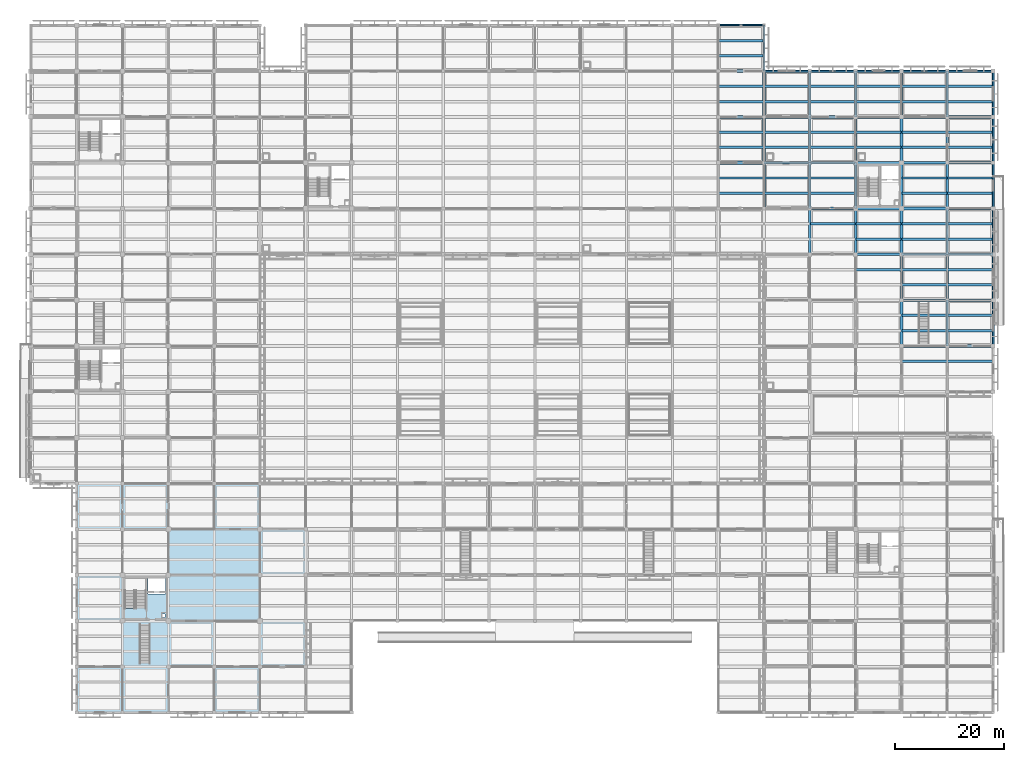
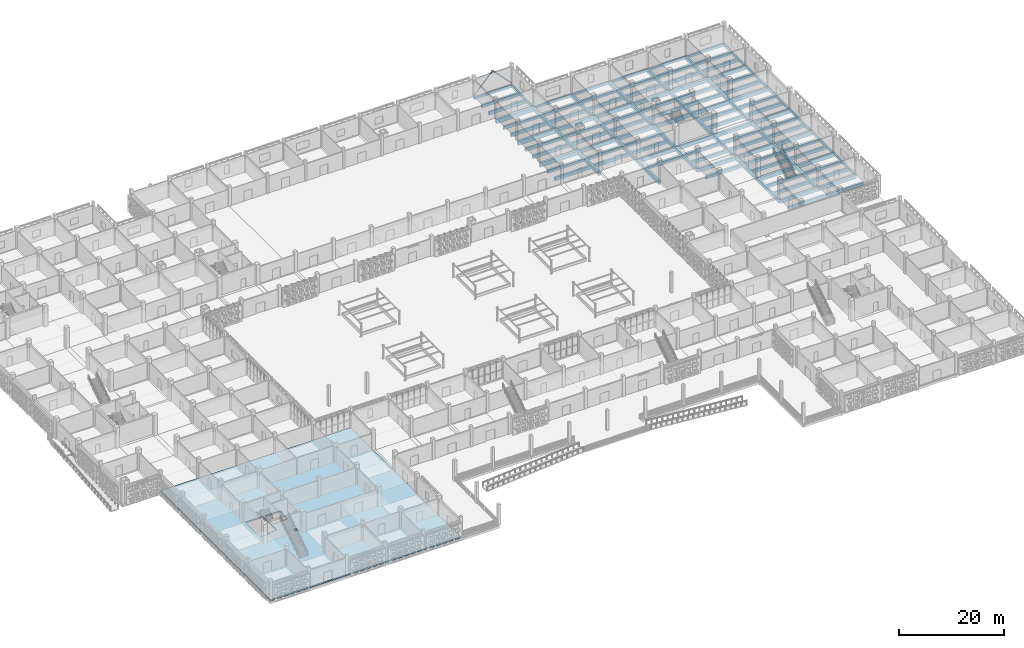
# One storey, part 44 of 129: 114 beams, 2 members, 1 slab.
"""IFC4 building model written with IfcOpenShell, lengths in metres."""

from ifc_helpers import new_model, si_unit, direction, frame, origin, origin_2d, place, context, subcontext, project, spatial, polyline, rectangle, hollow_circle, outline, extrude, material, layer, layer_set, material_profile, profile_set, type_object, element, save


model = new_model("IFC4")

# Units and contexts
model_context = context("Model", 3, precision=1e-05, world=origin(), true_north=direction((0.0, 1.0)))
body_context = subcontext(model_context, "Body", "Model", "MODEL_VIEW")
ifc_project = project(units=[si_unit("LENGTHUNIT", "METRE"), si_unit("AREAUNIT", "SQUARE_METRE"), si_unit("VOLUMEUNIT", "CUBIC_METRE"), si_unit("PLANEANGLEUNIT", "RADIAN"), si_unit("MASSUNIT", "GRAM", prefix="KILO")], contexts=[model_context])

# Site, building, storey
site_placement = place(None, origin())
site = spatial("IfcSite", under=ifc_project, at=site_placement, CompositionType="ELEMENT")
building_placement = place(site_placement, origin())
building = spatial("IfcBuilding", under=site, at=building_placement, Name="Varnapada Polytechnic", CompositionType="ELEMENT")
storey_placement = place(building_placement, origin())
storey = spatial("IfcBuildingStorey", under=building, at=storey_placement, Name="L00", CompositionType="ELEMENT", Elevation=0.0)

# Beams
ifc_material_1 = material(Name="Concrete C40/50", Category="concrete")
ifc_material_profile_1 = material_profile(ifc_material_1, rectangle(XDim=0.449951171875, YDim=0.75, at=origin_2d()), Name="RC 450x750")
ifc_profile_set_1 = profile_set([ifc_material_profile_1], Name="Concrete C40/50")
beam_type_1 = type_object("IfcBeamType", Name="Basement/podium secondary beam BB-01 (RC 450x750)", PredefinedType="BEAM", material=ifc_profile_set_1)
for number, where, z_axis, x_axis, name in (
    (1, (126.080078125, 95.199951171875, -0.695068359375), (1.0, 0.0, 0.0), (0.0, 1.0, 0.0), "L00 floor joist 16/12.1"),
    (2, (126.080078125, 98.0, -0.695068359375), (1.0, 0.0, 0.0), (0.0, 1.0, 0.0), "L00 floor joist 16/12.2"),
    (3, (126.080078125, 103.60009765625, -0.695068359375), (1.0, 0.0, 0.0), (0.0, 1.0, 0.0), "L00 floor joist 16/13.1"),
    (4, (126.080078125, 106.39990234375, -0.695068359375), (1.0, 0.0, 0.0), (0.0, 1.0, 0.0), "L00 floor joist 16/13.2"),
    (5, (126.080078125, 112.0, -0.695068359375), (1.0, 0.0, 0.0), (0.0, 1.0, 0.0), "L00 floor joist 16/14.1"),
    (6, (126.080078125, 114.800048828125, -0.695068359375), (1.0, 0.0, 0.0), (0.0, 1.0, 0.0), "L00 floor joist 16/14.2"),
    (7, (126.080078125, 120.39990234375, -0.695068359375), (1.0, 0.0, 0.0), (0.0, 1.0, 0.0), "L00 floor joist 16/15.1"),
    (8, (126.080078125, 123.199951171875, -0.695068359375), (1.0, 0.0, 0.0), (0.0, 1.0, 0.0), "L00 floor joist 16/15.2"),
    (9, (134.47998046875, 95.199951171875, -0.695068359375), (1.0, 0.0, 0.0), (0.0, 1.0, 0.0), "L00 floor joist 17/12.1"),
    (10, (134.47998046875, 98.0, -0.695068359375), (1.0, 0.0, 0.0), (0.0, 1.0, 0.0), "L00 floor joist 17/12.2"),
    (11, (134.47998046875, 103.60009765625, -0.695068359375), (1.0, 0.0, 0.0), (0.0, 1.0, 0.0), "L00 floor joist 17/13.1"),
    (12, (134.47998046875, 106.39990234375, -0.695068359375), (1.0, 0.0, 0.0), (0.0, 1.0, 0.0), "L00 floor joist 17/13.2"),
    (13, (134.47998046875, 112.0, -0.695068359375), (1.0, 0.0, 0.0), (0.0, 1.0, 0.0), "L00 floor joist 17/14.1"),
    (14, (134.47998046875, 114.800048828125, -0.695068359375), (1.0, 0.0, 0.0), (0.0, 1.0, 0.0), "L00 floor joist 17/14.2"),
):
    element("IfcBeam", number, at=place(storey_placement, frame(where, z_axis=z_axis, x_axis=x_axis)), inside=storey, type_object=beam_type_1, Name=name, PredefinedType="BEAM", context=body_context, shape_type="SweptSolid", body=[
        extrude(rectangle(XDim=0.449951171875, YDim=0.75, at=origin_2d()), origin(), (0.0, 0.0, 1.0), 8.239990234375),
    ])
for number, where, z_axis, x_axis, name in (
    (15, (142.8798828125, 89.60009765625, -0.675048828125), (1.0, 0.0, 0.0), (0.0, 1.0, 0.0), "L00 floor joist 18/11.2"),
    (16, (142.8798828125, 95.199951171875, -0.675048828125), (1.0, 0.0, 0.0), (0.0, 1.0, 0.0), "L00 floor joist 18/12.1"),
    (17, (142.8798828125, 98.0, -0.675048828125), (1.0, 0.0, 0.0), (0.0, 1.0, 0.0), "L00 floor joist 18/12.2"),
    (18, (142.8798828125, 103.60009765625, -0.675048828125), (1.0, 0.0, 0.0), (0.0, 1.0, 0.0), "L00 floor joist 18/13.1"),
    (19, (142.8798828125, 106.39990234375, -0.675048828125), (1.0, 0.0, 0.0), (0.0, 1.0, 0.0), "L00 floor joist 18/13.2"),
    (20, (142.8798828125, 112.0, -0.675048828125), (1.0, 0.0, 0.0), (0.0, 1.0, 0.0), "L00 floor joist 18/14.1"),
    (21, (142.8798828125, 114.800048828125, -0.675048828125), (1.0, 0.0, 0.0), (0.0, 1.0, 0.0), "L00 floor joist 18/14.2"),
):
    element("IfcBeam", number, at=place(storey_placement, frame(where, z_axis=z_axis, x_axis=x_axis)), inside=storey, type_object=beam_type_1, Name=name, PredefinedType="BEAM", context=body_context, shape_type="SweptSolid", body=[
        extrude(rectangle(XDim=0.449951171875, YDim=0.75, at=origin_2d()), origin(), (0.0, 0.0, 1.0), 8.240234375),
    ])
for number, where, z_axis, x_axis, name in (
    (22, (151.280029296875, 81.199951171875, -0.675048828125), (1.0, 0.0, 0.0), (0.0, 1.0, 0.0), "L00 floor joist 19/10.2"),
    (23, (151.280029296875, 86.800048828125, -0.675048828125), (1.0, 0.0, 0.0), (0.0, 1.0, 0.0), "L00 floor joist 19/11.1"),
    (24, (151.280029296875, 89.60009765625, -0.675048828125), (1.0, 0.0, 0.0), (0.0, 1.0, 0.0), "L00 floor joist 19/11.2"),
    (25, (151.280029296875, 103.60009765625, -0.675048828125), (1.0, 0.0, 0.0), (0.0, 1.0, 0.0), "L00 floor joist 19/13.1"),
    (26, (151.280029296875, 106.39990234375, -0.675048828125), (1.0, 0.0, 0.0), (0.0, 1.0, 0.0), "L00 floor joist 19/13.2"),
    (27, (151.280029296875, 112.0, -0.675048828125), (1.0, 0.0, 0.0), (0.0, 1.0, 0.0), "L00 floor joist 19/14.1"),
    (28, (151.280029296875, 114.800048828125, -0.675048828125), (1.0, 0.0, 0.0), (0.0, 1.0, 0.0), "L00 floor joist 19/14.2"),
    (29, (159.679931640625, 64.39990234375, -0.675048828125), (1.0, 0.0, 0.0), (0.0, 1.0, 0.0), "L00 floor joist 20/8.2"),
    (30, (159.679931640625, 70.0, -0.675048828125), (1.0, 0.0, 0.0), (0.0, 1.0, 0.0), "L00 floor joist 20/9.1"),
    (31, (159.679931640625, 72.800048828125, -0.675048828125), (1.0, 0.0, 0.0), (0.0, 1.0, 0.0), "L00 floor joist 20/9.2"),
    (32, (159.679931640625, 78.39990234375, -0.675048828125), (1.0, 0.0, 0.0), (0.0, 1.0, 0.0), "L00 floor joist 20/10.1"),
    (33, (159.679931640625, 81.199951171875, -0.675048828125), (1.0, 0.0, 0.0), (0.0, 1.0, 0.0), "L00 floor joist 20/10.2"),
    (34, (159.679931640625, 86.800048828125, -0.675048828125), (1.0, 0.0, 0.0), (0.0, 1.0, 0.0), "L00 floor joist 20/11.1"),
    (35, (159.679931640625, 89.60009765625, -0.675048828125), (1.0, 0.0, 0.0), (0.0, 1.0, 0.0), "L00 floor joist 20/11.2"),
    (36, (159.679931640625, 95.199951171875, -0.675048828125), (1.0, 0.0, 0.0), (0.0, 1.0, 0.0), "L00 floor joist 20/12.1"),
    (37, (159.679931640625, 98.0, -0.675048828125), (1.0, 0.0, 0.0), (0.0, 1.0, 0.0), "L00 floor joist 20/12.2"),
    (38, (159.679931640625, 103.60009765625, -0.675048828125), (1.0, 0.0, 0.0), (0.0, 1.0, 0.0), "L00 floor joist 20/13.1"),
    (39, (159.679931640625, 106.39990234375, -0.675048828125), (1.0, 0.0, 0.0), (0.0, 1.0, 0.0), "L00 floor joist 20/13.2"),
    (40, (159.679931640625, 112.0, -0.675048828125), (1.0, 0.0, 0.0), (0.0, 1.0, 0.0), "L00 floor joist 20/14.1"),
    (41, (159.679931640625, 114.800048828125, -0.675048828125), (1.0, 0.0, 0.0), (0.0, 1.0, 0.0), "L00 floor joist 20/14.2"),
    (42, (168.080078125, 64.39990234375, -0.675048828125), (1.0, 0.0, 0.0), (0.0, 1.0, 0.0), "L00 floor joist 21/8.2"),
    (43, (168.080078125, 70.0, -0.675048828125), (1.0, 0.0, 0.0), (0.0, 1.0, 0.0), "L00 floor joist 21/9.1"),
    (44, (168.080078125, 72.800048828125, -0.675048828125), (1.0, 0.0, 0.0), (0.0, 1.0, 0.0), "L00 floor joist 21/9.2"),
    (45, (168.080078125, 78.39990234375, -0.675048828125), (1.0, 0.0, 0.0), (0.0, 1.0, 0.0), "L00 floor joist 21/10.1"),
    (46, (168.080078125, 81.199951171875, -0.675048828125), (1.0, 0.0, 0.0), (0.0, 1.0, 0.0), "L00 floor joist 21/10.2"),
    (47, (168.080078125, 86.800048828125, -0.675048828125), (1.0, 0.0, 0.0), (0.0, 1.0, 0.0), "L00 floor joist 21/11.1"),
    (48, (168.080078125, 89.60009765625, -0.675048828125), (1.0, 0.0, 0.0), (0.0, 1.0, 0.0), "L00 floor joist 21/11.2"),
    (49, (168.080078125, 95.199951171875, -0.675048828125), (1.0, 0.0, 0.0), (0.0, 1.0, 0.0), "L00 floor joist 21/12.1"),
    (50, (168.080078125, 98.0, -0.675048828125), (1.0, 0.0, 0.0), (0.0, 1.0, 0.0), "L00 floor joist 21/12.2"),
    (51, (168.080078125, 103.60009765625, -0.675048828125), (1.0, 0.0, 0.0), (0.0, 1.0, 0.0), "L00 floor joist 21/13.1"),
    (52, (168.080078125, 106.39990234375, -0.675048828125), (1.0, 0.0, 0.0), (0.0, 1.0, 0.0), "L00 floor joist 21/13.2"),
    (53, (168.080078125, 112.0, -0.675048828125), (1.0, 0.0, 0.0), (0.0, 1.0, 0.0), "L00 floor joist 21/14.1"),
    (54, (168.080078125, 114.800048828125, -0.675048828125), (1.0, 0.0, 0.0), (0.0, 1.0, 0.0), "L00 floor joist 21/14.2"),
):
    element("IfcBeam", number, at=place(storey_placement, frame(where, z_axis=z_axis, x_axis=x_axis)), inside=storey, type_object=beam_type_1, Name=name, PredefinedType="BEAM", context=body_context, shape_type="SweptSolid", body=[
        extrude(rectangle(XDim=0.449951171875, YDim=0.75, at=origin_2d()), origin(), (0.0, 0.0, 1.0), 8.239990234375),
    ])
ifc_material_profile_2 = material_profile(ifc_material_1, rectangle(XDim=0.35009765625, YDim=0.550048828125, at=origin_2d()), Name="RC 350x550")
ifc_profile_set_2 = profile_set([ifc_material_profile_2], Name="Concrete C40/50")
beam_type_2 = type_object("IfcBeamType", Name="Concrete podium spandrel beam SP-01 (RC 350x550)", PredefinedType="SPANDREL", material=ifc_profile_set_2)
beam_1_placement = place(storey_placement, frame((126.0, 126.0, -0.594970703125), z_axis=(1.0, 0.0, 0.0), x_axis=(0.0, 1.0, 0.0)))
element("IfcBeam", 55, at=beam_1_placement, inside=storey, type_object=beam_type_2, Name="L00 beam X 16-17 at Y16", PredefinedType="SPANDREL", context=body_context, shape_type="SweptSolid", body=[
    extrude(rectangle(XDim=0.35009765625, YDim=0.550048828125, at=origin_2d()), origin(), (0.0, 0.0, 1.0), 8.39990234375),
])
beam_2_placement = place(storey_placement, frame((134.39990234375, 117.60009765625, -0.594970703125), z_axis=(1.0, 0.0, 0.0), x_axis=(0.0, 1.0, 0.0)))
element("IfcBeam", 56, at=beam_2_placement, inside=storey, type_object=beam_type_2, Name="L00 beam X 17-18 at Y15", PredefinedType="SPANDREL", context=body_context, shape_type="SweptSolid", body=[
    extrude(rectangle(XDim=0.35009765625, YDim=0.550048828125, at=origin_2d()), origin(), (0.0, 0.0, 1.0), 8.400146484375),
])
beam_3_placement = place(storey_placement, frame((142.800048828125, 117.60009765625, -0.574951171875), z_axis=(1.0, 0.0, 0.0), x_axis=(0.0, 1.0, 0.0)))
element("IfcBeam", 57, at=beam_3_placement, inside=storey, type_object=beam_type_2, Name="L00 beam X 18-19 at Y15", PredefinedType="SPANDREL", context=body_context, shape_type="SweptSolid", body=[
    extrude(rectangle(XDim=0.35009765625, YDim=0.550048828125, at=origin_2d()), origin(), (0.0, 0.0, 1.0), 8.39990234375),
])
beam_4_placement = place(storey_placement, frame((151.199951171875, 117.60009765625, -0.574951171875), z_axis=(1.0, 0.0, 0.0), x_axis=(0.0, 1.0, 0.0)))
element("IfcBeam", 58, at=beam_4_placement, inside=storey, type_object=beam_type_2, Name="L00 beam X 19-20 at Y15", PredefinedType="SPANDREL", context=body_context, shape_type="SweptSolid", body=[
    extrude(rectangle(XDim=0.35009765625, YDim=0.550048828125, at=origin_2d()), origin(), (0.0, 0.0, 1.0), 8.400146484375),
])
for number, where, z_axis, x_axis, name in (
    (59, (159.60009765625, 117.60009765625, -0.574951171875), (1.0, 0.0, 0.0), (0.0, 1.0, 0.0), "L00 beam X 20-21 at Y15"),
    (60, (168.0, 117.60009765625, -0.574951171875), (1.0, 0.0, 0.0), (0.0, 1.0, 0.0), "L00 beam X 21-22 at Y15"),
    (61, (134.39990234375, 117.60009765625, -0.594970703125), (0.0, 1.0, 0.0), (-1.0, 0.0, 0.0), "L00 beam Y 15-16 at X17"),
):
    element("IfcBeam", number, at=place(storey_placement, frame(where, z_axis=z_axis, x_axis=x_axis)), inside=storey, type_object=beam_type_2, Name=name, PredefinedType="SPANDREL", context=body_context, shape_type="SweptSolid", body=[
        extrude(rectangle(XDim=0.35009765625, YDim=0.550048828125, at=origin_2d()), origin(), (0.0, 0.0, 1.0), 8.39990234375),
    ])
beam_5_placement = place(storey_placement, frame((176.39990234375, 67.199951171875, -0.574951171875), z_axis=(0.0, 1.0, 0.0), x_axis=(-1.0, 0.0, 0.0)))
element("IfcBeam", 62, at=beam_5_placement, inside=storey, type_object=beam_type_2, Name="L00 beam Y 9-10 at X22", PredefinedType="SPANDREL", context=body_context, shape_type="SweptSolid", body=[
    extrude(rectangle(XDim=0.35009765625, YDim=0.550048828125, at=origin_2d()), origin(), (0.0, 0.0, 1.0), 8.400146484375),
])
for number, where, z_axis, x_axis, name in (
    (63, (176.39990234375, 75.60009765625, -0.574951171875), (0.0, 1.0, 0.0), (-1.0, 0.0, 0.0), "L00 beam Y 10-11 at X22"),
    (64, (176.39990234375, 84.0, -0.574951171875), (0.0, 1.0, 0.0), (-1.0, 0.0, 0.0), "L00 beam Y 11-12 at X22"),
):
    element("IfcBeam", number, at=place(storey_placement, frame(where, z_axis=z_axis, x_axis=x_axis)), inside=storey, type_object=beam_type_2, Name=name, PredefinedType="SPANDREL", context=body_context, shape_type="SweptSolid", body=[
        extrude(rectangle(XDim=0.35009765625, YDim=0.550048828125, at=origin_2d()), origin(), (0.0, 0.0, 1.0), 8.39990234375),
    ])
beam_6_placement = place(storey_placement, frame((176.39990234375, 92.39990234375, -0.574951171875), z_axis=(0.0, 1.0, 0.0), x_axis=(-1.0, 0.0, 0.0)))
element("IfcBeam", 65, at=beam_6_placement, inside=storey, type_object=beam_type_2, Name="L00 beam Y 12-13 at X22", PredefinedType="SPANDREL", context=body_context, shape_type="SweptSolid", body=[
    extrude(rectangle(XDim=0.35009765625, YDim=0.550048828125, at=origin_2d()), origin(), (0.0, 0.0, 1.0), 8.400146484375),
])
beam_7_placement = place(storey_placement, frame((176.39990234375, 100.800048828125, -0.574951171875), z_axis=(0.0, 1.0, 0.0), x_axis=(-1.0, 0.0, 0.0)))
element("IfcBeam", 66, at=beam_7_placement, inside=storey, type_object=beam_type_2, Name="L00 beam Y 13-14 at X22", PredefinedType="SPANDREL", context=body_context, shape_type="SweptSolid", body=[
    extrude(rectangle(XDim=0.35009765625, YDim=0.550048828125, at=origin_2d()), origin(), (0.0, 0.0, 1.0), 8.39990234375),
])
beam_8_placement = place(storey_placement, frame((176.39990234375, 109.199951171875, -0.574951171875), z_axis=(0.0, 1.0, 0.0), x_axis=(-1.0, 0.0, 0.0)))
element("IfcBeam", 67, at=beam_8_placement, inside=storey, type_object=beam_type_2, Name="L00 beam Y 14-15 at X22", PredefinedType="SPANDREL", context=body_context, shape_type="SweptSolid", body=[
    extrude(rectangle(XDim=0.35009765625, YDim=0.550048828125, at=origin_2d()), origin(), (0.0, 0.0, 1.0), 8.400146484375),
])
ifc_material_profile_3 = material_profile(ifc_material_1, rectangle(XDim=0.5, YDim=0.800048828125, at=origin_2d()), Name="RC 500x800")
ifc_profile_set_3 = profile_set([ifc_material_profile_3], Name="Concrete C40/50")
beam_type_3 = type_object("IfcBeamType", Name="Refectory podium girder BB-03 (RC 500x800)", PredefinedType="BEAM", material=ifc_profile_set_3)
beam_9_placement = place(storey_placement, frame((134.39990234375, 92.39990234375, -0.719970703125), z_axis=(0.0, 1.0, 0.0), x_axis=(-1.0, 0.0, 0.0)))
element("IfcBeam", 68, at=beam_9_placement, inside=storey, type_object=beam_type_3, Name="L00 beam Y 12-13 at X17", PredefinedType="BEAM", context=body_context, shape_type="SweptSolid", body=[
    extrude(rectangle(XDim=0.5, YDim=0.800048828125, at=origin_2d()), origin(), (0.0, 0.0, 1.0), 8.400146484375),
])
beam_10_placement = place(storey_placement, frame((134.39990234375, 100.800048828125, -0.719970703125), z_axis=(0.0, 1.0, 0.0), x_axis=(-1.0, 0.0, 0.0)))
element("IfcBeam", 69, at=beam_10_placement, inside=storey, type_object=beam_type_3, Name="L00 beam Y 13-14 at X17", PredefinedType="BEAM", context=body_context, shape_type="SweptSolid", body=[
    extrude(rectangle(XDim=0.5, YDim=0.800048828125, at=origin_2d()), origin(), (0.0, 0.0, 1.0), 8.39990234375),
])
beam_11_placement = place(storey_placement, frame((134.39990234375, 109.199951171875, -0.719970703125), z_axis=(0.0, 1.0, 0.0), x_axis=(-1.0, 0.0, 0.0)))
element("IfcBeam", 70, at=beam_11_placement, inside=storey, type_object=beam_type_3, Name="L00 beam Y 14-15 at X17", PredefinedType="BEAM", context=body_context, shape_type="SweptSolid", body=[
    extrude(rectangle(XDim=0.5, YDim=0.800048828125, at=origin_2d()), origin(), (0.0, 0.0, 1.0), 8.400146484375),
])
beam_12_placement = place(storey_placement, frame((142.800048828125, 84.0, -0.699951171875), z_axis=(0.0, 1.0, 0.0), x_axis=(-1.0, 0.0, 0.0)))
element("IfcBeam", 71, at=beam_12_placement, inside=storey, type_object=beam_type_3, Name="L00 beam Y 11-12 at X18", PredefinedType="BEAM", context=body_context, shape_type="SweptSolid", body=[
    extrude(rectangle(XDim=0.5, YDim=0.800048828125, at=origin_2d()), origin(), (0.0, 0.0, 1.0), 8.39990234375),
])
beam_13_placement = place(storey_placement, frame((142.800048828125, 92.39990234375, -0.699951171875), z_axis=(0.0, 1.0, 0.0), x_axis=(-1.0, 0.0, 0.0)))
element("IfcBeam", 72, at=beam_13_placement, inside=storey, type_object=beam_type_3, Name="L00 beam Y 12-13 at X18", PredefinedType="BEAM", context=body_context, shape_type="SweptSolid", body=[
    extrude(rectangle(XDim=0.5, YDim=0.800048828125, at=origin_2d()), origin(), (0.0, 0.0, 1.0), 8.400146484375),
])
beam_14_placement = place(storey_placement, frame((142.800048828125, 100.800048828125, -0.699951171875), z_axis=(0.0, 1.0, 0.0), x_axis=(-1.0, 0.0, 0.0)))
element("IfcBeam", 73, at=beam_14_placement, inside=storey, type_object=beam_type_3, Name="L00 beam Y 13-14 at X18", PredefinedType="BEAM", context=body_context, shape_type="SweptSolid", body=[
    extrude(rectangle(XDim=0.5, YDim=0.800048828125, at=origin_2d()), origin(), (0.0, 0.0, 1.0), 8.39990234375),
])
beam_15_placement = place(storey_placement, frame((142.800048828125, 109.199951171875, -0.699951171875), z_axis=(0.0, 1.0, 0.0), x_axis=(-1.0, 0.0, 0.0)))
element("IfcBeam", 74, at=beam_15_placement, inside=storey, type_object=beam_type_3, Name="L00 beam Y 14-15 at X18", PredefinedType="BEAM", context=body_context, shape_type="SweptSolid", body=[
    extrude(rectangle(XDim=0.5, YDim=0.800048828125, at=origin_2d()), origin(), (0.0, 0.0, 1.0), 8.400146484375),
])
beam_16_placement = place(storey_placement, frame((151.199951171875, 84.0, -0.699951171875), z_axis=(0.0, 1.0, 0.0), x_axis=(-1.0, 0.0, 0.0)))
element("IfcBeam", 75, at=beam_16_placement, inside=storey, type_object=beam_type_3, Name="L00 beam Y 11-12 at X19", PredefinedType="BEAM", context=body_context, shape_type="SweptSolid", body=[
    extrude(rectangle(XDim=0.5, YDim=0.800048828125, at=origin_2d()), origin(), (0.0, 0.0, 1.0), 8.39990234375),
])
beam_17_placement = place(storey_placement, frame((151.199951171875, 92.39990234375, -0.699951171875), z_axis=(0.0, 1.0, 0.0), x_axis=(-1.0, 0.0, 0.0)))
element("IfcBeam", 76, at=beam_17_placement, inside=storey, type_object=beam_type_3, Name="L00 beam Y 12-13 at X19", PredefinedType="BEAM", context=body_context, shape_type="SweptSolid", body=[
    extrude(rectangle(XDim=0.5, YDim=0.800048828125, at=origin_2d()), origin(), (0.0, 0.0, 1.0), 8.400146484375),
])
beam_18_placement = place(storey_placement, frame((151.199951171875, 100.800048828125, -0.699951171875), z_axis=(0.0, 1.0, 0.0), x_axis=(-1.0, 0.0, 0.0)))
element("IfcBeam", 77, at=beam_18_placement, inside=storey, type_object=beam_type_3, Name="L00 beam Y 13-14 at X19", PredefinedType="BEAM", context=body_context, shape_type="SweptSolid", body=[
    extrude(rectangle(XDim=0.5, YDim=0.800048828125, at=origin_2d()), origin(), (0.0, 0.0, 1.0), 8.39990234375),
])
for number, where, z_axis, x_axis, name in (
    (78, (151.199951171875, 109.199951171875, -0.699951171875), (0.0, 1.0, 0.0), (-1.0, 0.0, 0.0), "L00 beam Y 14-15 at X19"),
    (79, (159.60009765625, 67.199951171875, -0.699951171875), (0.0, 1.0, 0.0), (-1.0, 0.0, 0.0), "L00 beam Y 9-10 at X20"),
):
    element("IfcBeam", number, at=place(storey_placement, frame(where, z_axis=z_axis, x_axis=x_axis)), inside=storey, type_object=beam_type_3, Name=name, PredefinedType="BEAM", context=body_context, shape_type="SweptSolid", body=[
        extrude(rectangle(XDim=0.5, YDim=0.800048828125, at=origin_2d()), origin(), (0.0, 0.0, 1.0), 8.400146484375),
    ])
for number, where, z_axis, x_axis, name in (
    (80, (159.60009765625, 75.60009765625, -0.699951171875), (0.0, 1.0, 0.0), (-1.0, 0.0, 0.0), "L00 beam Y 10-11 at X20"),
    (81, (159.60009765625, 84.0, -0.699951171875), (0.0, 1.0, 0.0), (-1.0, 0.0, 0.0), "L00 beam Y 11-12 at X20"),
):
    element("IfcBeam", number, at=place(storey_placement, frame(where, z_axis=z_axis, x_axis=x_axis)), inside=storey, type_object=beam_type_3, Name=name, PredefinedType="BEAM", context=body_context, shape_type="SweptSolid", body=[
        extrude(rectangle(XDim=0.5, YDim=0.800048828125, at=origin_2d()), origin(), (0.0, 0.0, 1.0), 8.39990234375),
    ])
beam_19_placement = place(storey_placement, frame((159.60009765625, 92.39990234375, -0.699951171875), z_axis=(0.0, 1.0, 0.0), x_axis=(-1.0, 0.0, 0.0)))
element("IfcBeam", 82, at=beam_19_placement, inside=storey, type_object=beam_type_3, Name="L00 beam Y 12-13 at X20", PredefinedType="BEAM", context=body_context, shape_type="SweptSolid", body=[
    extrude(rectangle(XDim=0.5, YDim=0.800048828125, at=origin_2d()), origin(), (0.0, 0.0, 1.0), 8.400146484375),
])
beam_20_placement = place(storey_placement, frame((159.60009765625, 100.800048828125, -0.699951171875), z_axis=(0.0, 1.0, 0.0), x_axis=(-1.0, 0.0, 0.0)))
element("IfcBeam", 83, at=beam_20_placement, inside=storey, type_object=beam_type_3, Name="L00 beam Y 13-14 at X20", PredefinedType="BEAM", context=body_context, shape_type="SweptSolid", body=[
    extrude(rectangle(XDim=0.5, YDim=0.800048828125, at=origin_2d()), origin(), (0.0, 0.0, 1.0), 8.39990234375),
])
for number, where, z_axis, x_axis, name in (
    (84, (159.60009765625, 109.199951171875, -0.699951171875), (0.0, 1.0, 0.0), (-1.0, 0.0, 0.0), "L00 beam Y 14-15 at X20"),
    (85, (168.0, 67.199951171875, -0.699951171875), (0.0, 1.0, 0.0), (-1.0, 0.0, 0.0), "L00 beam Y 9-10 at X21"),
):
    element("IfcBeam", number, at=place(storey_placement, frame(where, z_axis=z_axis, x_axis=x_axis)), inside=storey, type_object=beam_type_3, Name=name, PredefinedType="BEAM", context=body_context, shape_type="SweptSolid", body=[
        extrude(rectangle(XDim=0.5, YDim=0.800048828125, at=origin_2d()), origin(), (0.0, 0.0, 1.0), 8.400146484375),
    ])
for number, where, z_axis, x_axis, name in (
    (86, (168.0, 75.60009765625, -0.699951171875), (0.0, 1.0, 0.0), (-1.0, 0.0, 0.0), "L00 beam Y 10-11 at X21"),
    (87, (168.0, 84.0, -0.699951171875), (0.0, 1.0, 0.0), (-1.0, 0.0, 0.0), "L00 beam Y 11-12 at X21"),
):
    element("IfcBeam", number, at=place(storey_placement, frame(where, z_axis=z_axis, x_axis=x_axis)), inside=storey, type_object=beam_type_3, Name=name, PredefinedType="BEAM", context=body_context, shape_type="SweptSolid", body=[
        extrude(rectangle(XDim=0.5, YDim=0.800048828125, at=origin_2d()), origin(), (0.0, 0.0, 1.0), 8.39990234375),
    ])
beam_21_placement = place(storey_placement, frame((168.0, 92.39990234375, -0.699951171875), z_axis=(0.0, 1.0, 0.0), x_axis=(-1.0, 0.0, 0.0)))
element("IfcBeam", 88, at=beam_21_placement, inside=storey, type_object=beam_type_3, Name="L00 beam Y 12-13 at X21", PredefinedType="BEAM", context=body_context, shape_type="SweptSolid", body=[
    extrude(rectangle(XDim=0.5, YDim=0.800048828125, at=origin_2d()), origin(), (0.0, 0.0, 1.0), 8.400146484375),
])
beam_22_placement = place(storey_placement, frame((168.0, 100.800048828125, -0.699951171875), z_axis=(0.0, 1.0, 0.0), x_axis=(-1.0, 0.0, 0.0)))
element("IfcBeam", 89, at=beam_22_placement, inside=storey, type_object=beam_type_3, Name="L00 beam Y 13-14 at X21", PredefinedType="BEAM", context=body_context, shape_type="SweptSolid", body=[
    extrude(rectangle(XDim=0.5, YDim=0.800048828125, at=origin_2d()), origin(), (0.0, 0.0, 1.0), 8.39990234375),
])
beam_23_placement = place(storey_placement, frame((168.0, 109.199951171875, -0.699951171875), z_axis=(0.0, 1.0, 0.0), x_axis=(-1.0, 0.0, 0.0)))
element("IfcBeam", 90, at=beam_23_placement, inside=storey, type_object=beam_type_3, Name="L00 beam Y 14-15 at X21", PredefinedType="BEAM", context=body_context, shape_type="SweptSolid", body=[
    extrude(rectangle(XDim=0.5, YDim=0.800048828125, at=origin_2d()), origin(), (0.0, 0.0, 1.0), 8.400146484375),
])
ifc_material_profile_4 = material_profile(ifc_material_1, rectangle(XDim=0.5, YDim=0.85009765625, at=origin_2d()), Name="RC 500x850")
ifc_profile_set_4 = profile_set([ifc_material_profile_4], Name="Concrete C40/50")
beam_type_4 = type_object("IfcBeamType", Name="Standard podium primary girder BG-02 (RC 500x850)", PredefinedType="T_BEAM", material=ifc_profile_set_4)
for number, where, z_axis, x_axis, name in (
    (91, (134.39990234375, 100.800048828125, -0.7451171875), (1.0, 0.0, 0.0), (0.0, 1.0, 0.0), "L00 beam X 17-18 at Y13"),
    (92, (134.39990234375, 109.199951171875, -0.7451171875), (1.0, 0.0, 0.0), (0.0, 1.0, 0.0), "L00 beam X 17-18 at Y14"),
):
    element("IfcBeam", number, at=place(storey_placement, frame(where, z_axis=z_axis, x_axis=x_axis)), inside=storey, type_object=beam_type_4, Name=name, PredefinedType="T_BEAM", context=body_context, shape_type="SweptSolid", body=[
        extrude(rectangle(XDim=0.5, YDim=0.85009765625, at=origin_2d()), origin(), (0.0, 0.0, 1.0), 8.400146484375),
    ])
for number, where, z_axis, x_axis, name in (
    (93, (142.800048828125, 92.39990234375, -0.72509765625), (1.0, 0.0, 0.0), (0.0, 1.0, 0.0), "L00 beam X 18-19 at Y12"),
    (94, (142.800048828125, 100.800048828125, -0.72509765625), (1.0, 0.0, 0.0), (0.0, 1.0, 0.0), "L00 beam X 18-19 at Y13"),
    (95, (142.800048828125, 109.199951171875, -0.72509765625), (1.0, 0.0, 0.0), (0.0, 1.0, 0.0), "L00 beam X 18-19 at Y14"),
):
    element("IfcBeam", number, at=place(storey_placement, frame(where, z_axis=z_axis, x_axis=x_axis)), inside=storey, type_object=beam_type_4, Name=name, PredefinedType="T_BEAM", context=body_context, shape_type="SweptSolid", body=[
        extrude(rectangle(XDim=0.5, YDim=0.85009765625, at=origin_2d()), origin(), (0.0, 0.0, 1.0), 8.39990234375),
    ])
for number, where, z_axis, x_axis, name in (
    (96, (151.199951171875, 84.0, -0.72509765625), (1.0, 0.0, 0.0), (0.0, 1.0, 0.0), "L00 beam X 19-20 at Y11"),
    (97, (151.199951171875, 92.39990234375, -0.72509765625), (1.0, 0.0, 0.0), (0.0, 1.0, 0.0), "L00 beam X 19-20 at Y12"),
    (98, (151.199951171875, 100.800048828125, -0.72509765625), (1.0, 0.0, 0.0), (0.0, 1.0, 0.0), "L00 beam X 19-20 at Y13"),
    (99, (151.199951171875, 109.199951171875, -0.72509765625), (1.0, 0.0, 0.0), (0.0, 1.0, 0.0), "L00 beam X 19-20 at Y14"),
):
    element("IfcBeam", number, at=place(storey_placement, frame(where, z_axis=z_axis, x_axis=x_axis)), inside=storey, type_object=beam_type_4, Name=name, PredefinedType="T_BEAM", context=body_context, shape_type="SweptSolid", body=[
        extrude(rectangle(XDim=0.5, YDim=0.85009765625, at=origin_2d()), origin(), (0.0, 0.0, 1.0), 8.400146484375),
    ])
for number, where, z_axis, x_axis, name in (
    (100, (159.60009765625, 67.199951171875, -0.72509765625), (1.0, 0.0, 0.0), (0.0, 1.0, 0.0), "L00 beam X 20-21 at Y9"),
    (101, (159.60009765625, 75.60009765625, -0.72509765625), (1.0, 0.0, 0.0), (0.0, 1.0, 0.0), "L00 beam X 20-21 at Y10"),
    (102, (159.60009765625, 84.0, -0.72509765625), (1.0, 0.0, 0.0), (0.0, 1.0, 0.0), "L00 beam X 20-21 at Y11"),
    (103, (159.60009765625, 92.39990234375, -0.72509765625), (1.0, 0.0, 0.0), (0.0, 1.0, 0.0), "L00 beam X 20-21 at Y12"),
    (104, (159.60009765625, 100.800048828125, -0.72509765625), (1.0, 0.0, 0.0), (0.0, 1.0, 0.0), "L00 beam X 20-21 at Y13"),
    (105, (159.60009765625, 109.199951171875, -0.72509765625), (1.0, 0.0, 0.0), (0.0, 1.0, 0.0), "L00 beam X 20-21 at Y14"),
    (106, (168.0, 67.199951171875, -0.72509765625), (1.0, 0.0, 0.0), (0.0, 1.0, 0.0), "L00 beam X 21-22 at Y9"),
    (107, (168.0, 75.60009765625, -0.72509765625), (1.0, 0.0, 0.0), (0.0, 1.0, 0.0), "L00 beam X 21-22 at Y10"),
    (108, (168.0, 84.0, -0.72509765625), (1.0, 0.0, 0.0), (0.0, 1.0, 0.0), "L00 beam X 21-22 at Y11"),
    (109, (168.0, 92.39990234375, -0.72509765625), (1.0, 0.0, 0.0), (0.0, 1.0, 0.0), "L00 beam X 21-22 at Y12"),
    (110, (168.0, 100.800048828125, -0.72509765625), (1.0, 0.0, 0.0), (0.0, 1.0, 0.0), "L00 beam X 21-22 at Y13"),
    (111, (168.0, 109.199951171875, -0.72509765625), (1.0, 0.0, 0.0), (0.0, 1.0, 0.0), "L00 beam X 21-22 at Y14"),
):
    element("IfcBeam", number, at=place(storey_placement, frame(where, z_axis=z_axis, x_axis=x_axis)), inside=storey, type_object=beam_type_4, Name=name, PredefinedType="T_BEAM", context=body_context, shape_type="SweptSolid", body=[
        extrude(rectangle(XDim=0.5, YDim=0.85009765625, at=origin_2d()), origin(), (0.0, 0.0, 1.0), 8.39990234375),
    ])

# Members
ifc_material_2 = material(Name="Steel S355", Category="steel")
ifc_material_profile_5 = material_profile(ifc_material_2, hollow_circle(Radius=0.109619140625, WallThickness=0.008056640625, at=origin_2d()), Name="CHS 219.1x8.0")
ifc_profile_set_5 = profile_set([ifc_material_profile_5], Name="Steel S355")
member_type = type_object("IfcMemberType", Name="Workshop hall lateral K/X wall brace BR-01 (CHS 219.1x8.0)", PredefinedType="BRACE", material=ifc_profile_set_5)
for number, where, z_axis, x_axis, name in (
    (112, (126.0, 126.0, 0.0), (0.690479565127, 0.0, 0.723351899245), (0.0, 1.0, 0.0), "L00 lateral chevron brace 2A"),
    (113, (134.39990234375, 126.0, 0.0), (-0.690479565127, 0.0, 0.723351899245), (0.0, -1.0, 0.0), "L00 lateral chevron brace 2B"),
):
    element("IfcMember", number, at=place(storey_placement, frame(where, z_axis=z_axis, x_axis=x_axis)), inside=storey, type_object=member_type, Name=name, PredefinedType="BRACE", context=body_context, shape_type="SweptSolid", body=[
        extrude(hollow_circle(Radius=0.109619140625, WallThickness=0.008056640625, at=origin_2d()), origin(), (0.0, 0.0, 1.0), 6.082763671875),
    ])

# Beams
ifc_material_profile_6 = material_profile(ifc_material_1, rectangle(XDim=0.60009765625, YDim=0.949951171875, at=origin_2d()), Name="RC 600x950")
ifc_profile_set_6 = profile_set([ifc_material_profile_6], Name="Concrete C40/50")
beam_type_5 = type_object("IfcBeamType", Name="Workshop podium heavy girder BG-03 (RC 600x950)", PredefinedType="T_BEAM", material=ifc_profile_set_6)
for number, where, z_axis, x_axis, name in (
    (114, (126.0, 100.800048828125, -0.794921875), (1.0, 0.0, 0.0), (0.0, 1.0, 0.0), "L00 beam X 16-17 at Y13"),
    (115, (126.0, 109.199951171875, -0.794921875), (1.0, 0.0, 0.0), (0.0, 1.0, 0.0), "L00 beam X 16-17 at Y14"),
    (116, (126.0, 117.60009765625, -0.794921875), (1.0, 0.0, 0.0), (0.0, 1.0, 0.0), "L00 beam X 16-17 at Y15"),
):
    element("IfcBeam", number, at=place(storey_placement, frame(where, z_axis=z_axis, x_axis=x_axis)), inside=storey, type_object=beam_type_5, Name=name, PredefinedType="T_BEAM", context=body_context, shape_type="SweptSolid", body=[
        extrude(rectangle(XDim=0.60009765625, YDim=0.949951171875, at=origin_2d()), origin(), (0.0, 0.0, 1.0), 8.39990234375),
    ])

# Slab
ifc_layer = layer(ifc_material_1, 0.300048828125)
ifc_layer_set = layer_set([ifc_layer], Name="Concrete C40/50")
slab_type = type_object("IfcSlabType", Name="L00 interior flood-resilient podium slab SL-01", PredefinedType="FLOOR", material=ifc_layer_set)
slab_placement = place(storey_placement, frame((0.0, 0.0, -0.300048828125)))
element("IfcSlab", 117, at=slab_placement, inside=storey, type_object=slab_type, Name="L00 V2 slab 1.1", PredefinedType="FLOOR", context=body_context, shape_type="SweptSolid", body=[
    extrude(outline(polyline([(8.39990234375, 25.199951171875), (8.39990234375, 33.60009765625), (8.39990234375, 42.0), (16.800048828125, 42.0), (25.199951171875, 42.0), (33.60009765625, 42.0), (42.0, 42.0), (50.39990234375, 42.0), (50.39990234375, 33.60009765625), (50.39990234375, 25.199951171875), (50.39990234375, 16.800048828125), (50.39990234375, 8.39990234375), (50.39990234375, 0.0), (42.0, 0.0), (33.60009765625, 0.0), (25.199951171875, 0.0), (16.800048828125, 0.0), (8.39990234375, 0.0), (8.39990234375, 8.39990234375), (8.39990234375, 16.800048828125), (8.39990234375, 25.199951171875)]), holes=[polyline([(17.199951171875, 19.110107421875), (19.14990234375, 19.110107421875), (19.14990234375, 19.510009765625), (21.10009765625, 19.510009765625), (21.10009765625, 24.800048828125), (17.199951171875, 24.800048828125), (17.199951171875, 19.110107421875)]), polyline([(21.5, 21.699951171875), (24.699951171875, 21.699951171875), (24.699951171875, 24.75), (21.5, 24.75), (21.5, 21.699951171875)]), polyline([(23.949951171875, 17.419921875), (24.60009765625, 17.419921875), (24.60009765625, 18.070068359375), (23.949951171875, 18.070068359375), (23.949951171875, 17.419921875)])]), origin(), (0.0, 0.0, 1.0), 0.300048828125),
])

save(model, "model.ifc")
